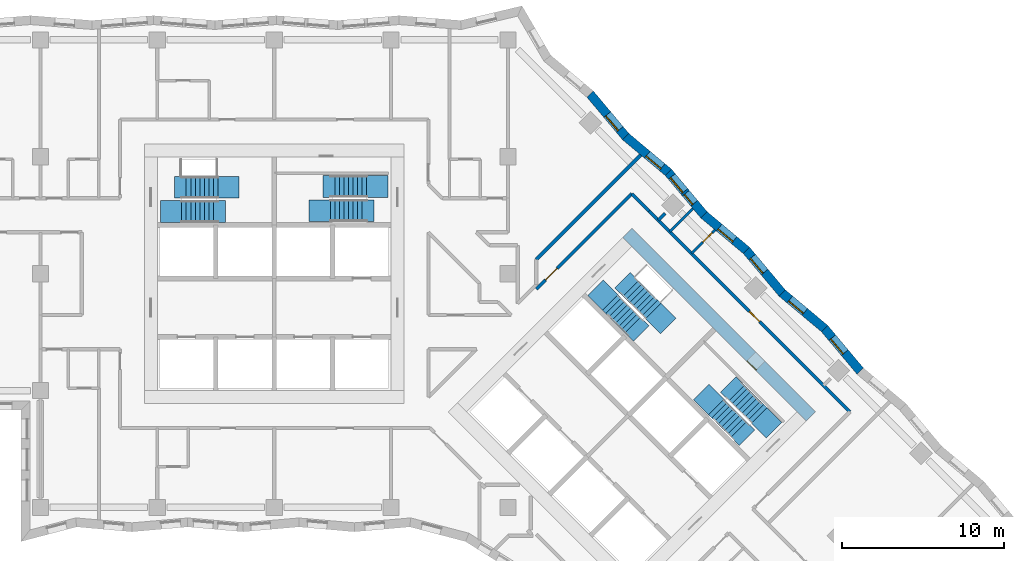
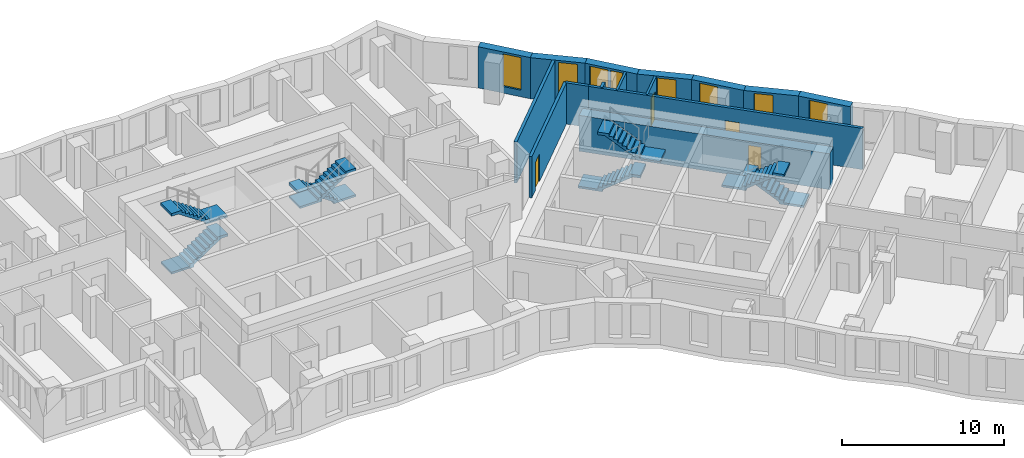
# One storey, part 10 of 12: 15 walls, 8 stair flights, 8 windows, 4 doors, 12 openings, 4 elements without a shape of their own.
"""IFC4 building model written with IfcOpenShell, lengths in metres."""

from ifc_helpers import new_model, si_unit, direction, frame, frame_2d, origin, place, context, subcontext, project, spatial, polyline, rectangle, outline, extrude, material, layer, layer_set, type_object, element, fill, aggregate, save


model = new_model("IFC4")

# Units and contexts
model_context = context("Model", 3, precision=1e-05, world=origin(), true_north=direction((0.0, 1.0)))
body_context = subcontext(model_context, "Body", "Model", "MODEL_VIEW")
ifc_project = project(units=[si_unit("LENGTHUNIT", "METRE"), si_unit("AREAUNIT", "SQUARE_METRE"), si_unit("VOLUMEUNIT", "CUBIC_METRE"), si_unit("PLANEANGLEUNIT", "RADIAN"), si_unit("MASSUNIT", "GRAM", prefix="KILO")], contexts=[model_context])

# Site, building, storey
site_placement = place(None, origin())
site = spatial("IfcSite", under=ifc_project, at=site_placement, CompositionType="ELEMENT")
building_placement = place(site_placement, origin())
building = spatial("IfcBuilding", under=site, at=building_placement, Name="Windrow Commons", CompositionType="ELEMENT")
storey_placement = place(building_placement, frame((0.0, 0.0, 81.2)))
storey = spatial("IfcBuildingStorey", under=building, at=storey_placement, Name="L21", CompositionType="ELEMENT", Elevation=81.2)

# Wall, opening, window
ifc_material_1 = material(Name="Brick masonry, red clay brick", Category="masonry")
ifc_layer_1 = layer(ifc_material_1, 0.55)
ifc_layer_set_1 = layer_set([ifc_layer_1], Name="Brick facade wall 550")
wall_type_1 = type_object("IfcWallType", Name="Brick facade wall 550", PredefinedType="SOLIDWALL", material=ifc_layer_set_1)
wall_1_placement = place(storey_placement, frame((100.9075, 51.5992, 0.0), z_axis=(0.0, 0.0, 1.0), x_axis=(-0.6423285652, 0.7664293929, 0.0)))
wall_1 = element("IfcWall", 1, at=wall_1_placement, inside=storey, type_object=wall_type_1, Name="Brick facade wall L21 12", PredefinedType="SOLIDWALL", context=body_context, shape_type="SweptSolid", body=[
    extrude(outline(polyline([(0.0242, -0.275), (3.4424, -0.275), (3.3939, 0.275), (-0.0242, 0.275), (0.0242, -0.275)])), origin(), (0.0, 0.0, 1.0), 3.1),
])
opening_1_placement = place(wall_1_placement, frame((1.4864, 0.0, 0.5)))
opening_1 = element("IfcOpeningElement", 2, at=opening_1_placement, cuts=wall_1, Name="Opening W7D", PredefinedType="OPENING", context=body_context, shape_type="SweptSolid", body=[
    extrude(rectangle(XDim=1.2, YDim=2.45, at=frame_2d((0.6, 1.225))), frame((0.0, 0.285, 0.0), z_axis=(0.0, -1.0, 0.0), x_axis=(1.0, 0.0, 0.0)), (0.0, 0.0, 1.0), 0.57),
])
ifc_material_2 = material(Name="Clear float glass in anodised aluminium frame", Category="aluminium")
window_type_1 = type_object("IfcWindowType", Name="Window W7 notch 1200x2450", PartitioningType="SINGLE_PANEL", PredefinedType="WINDOW", material=ifc_material_2)
window_1_placement = place(opening_1_placement, origin())
window_1 = element("IfcWindow", 3, at=window_1_placement, inside=storey, type_object=window_type_1, Name="Window L21 12.1", OverallHeight=2.45, OverallWidth=1.2, PartitioningType="SINGLE_PANEL", PredefinedType="WINDOW", context=body_context, shape_type="SweptSolid", body=[
    extrude(rectangle(XDim=1.2, YDim=2.45, at=frame_2d((0.6, 1.225))), frame((0.0, 0.155, 0.0), z_axis=(0.0, -1.0, 0.0), x_axis=(1.0, 0.0, 0.0)), (0.0, 0.0, 1.0), 0.06),
])
fill(opening_1, window_1)

wall_2_placement = place(storey_placement, frame((98.7119, 54.219, 0.0), z_axis=(0.0, 0.0, 1.0), x_axis=(-0.7664437954, 0.6423113798, 0.0)))
wall_2 = element("IfcWall", 4, at=wall_2_placement, inside=storey, type_object=wall_type_1, Name="Brick facade wall L21 13", PredefinedType="SOLIDWALL", context=body_context, shape_type="SweptSolid", body=[
    extrude(outline(polyline([(-0.0242, -0.275), (3.3939, -0.275), (3.4424, 0.275), (0.0242, 0.275), (-0.0242, -0.275)])), origin(), (0.0, 0.0, 1.0), 3.1),
])
opening_2_placement = place(wall_2_placement, frame((1.5964, 0.0, 0.5)))
opening_2 = element("IfcOpeningElement", 5, at=opening_2_placement, cuts=wall_2, Name="Opening W7D", PredefinedType="OPENING", context=body_context, shape_type="SweptSolid", body=[
    extrude(rectangle(XDim=1.2, YDim=2.45, at=frame_2d((0.6, 1.225))), frame((0.0, 0.285, 0.0), z_axis=(0.0, -1.0, 0.0), x_axis=(1.0, 0.0, 0.0)), (0.0, 0.0, 1.0), 0.57),
])
window_2_placement = place(opening_2_placement, origin())
window_2 = element("IfcWindow", 6, at=window_2_placement, inside=storey, type_object=window_type_1, Name="Window L21 13.1", OverallHeight=2.45, OverallWidth=1.2, PartitioningType="SINGLE_PANEL", PredefinedType="WINDOW", context=body_context, shape_type="SweptSolid", body=[
    extrude(rectangle(XDim=1.2, YDim=2.45, at=frame_2d((0.6, 1.225))), frame((0.0, 0.155, 0.0), z_axis=(0.0, -1.0, 0.0), x_axis=(1.0, 0.0, 0.0)), (0.0, 0.0, 1.0), 0.06),
])
fill(opening_2, window_2)

wall_3_placement = place(storey_placement, frame((96.0921, 56.4145, 0.0), z_axis=(0.0, 0.0, 1.0), x_axis=(-0.6423141631, 0.7664414628, 0.0)))
wall_3 = element("IfcWall", 7, at=wall_3_placement, inside=storey, type_object=wall_type_1, Name="Brick facade wall L21 14", PredefinedType="SOLIDWALL", context=body_context, shape_type="SweptSolid", body=[
    extrude(outline(polyline([(0.0242, -0.275), (3.4424, -0.275), (3.3939, 0.275), (-0.0242, 0.275), (0.0242, -0.275)])), origin(), (0.0, 0.0, 1.0), 3.1),
])
opening_3_placement = place(wall_3_placement, frame((1.6822, 0.0, 0.5)))
opening_3 = element("IfcOpeningElement", 8, at=opening_3_placement, cuts=wall_3, Name="Opening W7D", PredefinedType="OPENING", context=body_context, shape_type="SweptSolid", body=[
    extrude(rectangle(XDim=1.2, YDim=2.45, at=frame_2d((0.6, 1.225))), frame((0.0, 0.285, 0.0), z_axis=(0.0, -1.0, 0.0), x_axis=(1.0, 0.0, 0.0)), (0.0, 0.0, 1.0), 0.57),
])
window_3_placement = place(opening_3_placement, origin())
window_3 = element("IfcWindow", 9, at=window_3_placement, inside=storey, type_object=window_type_1, Name="Window L21 14.1", OverallHeight=2.45, OverallWidth=1.2, PartitioningType="SINGLE_PANEL", PredefinedType="WINDOW", context=body_context, shape_type="SweptSolid", body=[
    extrude(rectangle(XDim=1.2, YDim=2.45, at=frame_2d((0.6, 1.225))), frame((0.0, 0.155, 0.0), z_axis=(0.0, -1.0, 0.0), x_axis=(1.0, 0.0, 0.0)), (0.0, 0.0, 1.0), 0.06),
])
fill(opening_3, window_3)

wall_4_placement = place(storey_placement, frame((93.8965, 59.0344, 0.0), z_axis=(0.0, 0.0, 1.0), x_axis=(-0.7664437954, 0.6423113798, 0.0)))
wall_4 = element("IfcWall", 10, at=wall_4_placement, inside=storey, type_object=wall_type_1, Name="Brick facade wall L21 15", PredefinedType="SOLIDWALL", context=body_context, shape_type="SweptSolid", body=[
    extrude(outline(polyline([(-0.0242, -0.275), (3.3939, -0.275), (3.4424, 0.275), (0.0242, 0.275), (-0.0242, -0.275)])), origin(), (0.0, 0.0, 1.0), 3.1),
])
opening_4_placement = place(wall_4_placement, frame((0.9922, 0.0, 0.5)))
opening_4 = element("IfcOpeningElement", 11, at=opening_4_placement, cuts=wall_4, Name="Opening W7D", PredefinedType="OPENING", context=body_context, shape_type="SweptSolid", body=[
    extrude(rectangle(XDim=1.2, YDim=2.45, at=frame_2d((0.6, 1.225))), frame((0.0, 0.285, 0.0), z_axis=(0.0, -1.0, 0.0), x_axis=(1.0, 0.0, 0.0)), (0.0, 0.0, 1.0), 0.57),
])
window_4_placement = place(opening_4_placement, origin())
window_4 = element("IfcWindow", 12, at=window_4_placement, inside=storey, type_object=window_type_1, Name="Window L21 15.1", OverallHeight=2.45, OverallWidth=1.2, PartitioningType="SINGLE_PANEL", PredefinedType="WINDOW", context=body_context, shape_type="SweptSolid", body=[
    extrude(rectangle(XDim=1.2, YDim=2.45, at=frame_2d((0.6, 1.225))), frame((0.0, 0.155, 0.0), z_axis=(0.0, -1.0, 0.0), x_axis=(1.0, 0.0, 0.0)), (0.0, 0.0, 1.0), 0.06),
])
fill(opening_4, window_4)

# Wall, openings, windows
wall_5_placement = place(storey_placement, frame((91.2767, 61.2299, 0.0), z_axis=(0.0, 0.0, 1.0), x_axis=(-0.6422969775, 0.7664558648, 0.0)))
wall_5 = element("IfcWall", 13, at=wall_5_placement, inside=storey, type_object=wall_type_1, Name="Brick facade wall L21 16", PredefinedType="SOLIDWALL", context=body_context, shape_type="SweptSolid", body=[
    extrude(outline(polyline([(0.0242, -0.275), (3.4424, -0.275), (3.3939, 0.275), (-0.0242, 0.275), (0.0242, -0.275)])), origin(), (0.0, 0.0, 1.0), 3.1),
])
opening_5_placement = place(wall_5_placement, frame((1.8779, 0.0, 0.5)))
opening_5 = element("IfcOpeningElement", 14, at=opening_5_placement, cuts=wall_5, Name="Opening W7D", PredefinedType="OPENING", context=body_context, shape_type="SweptSolid", body=[
    extrude(rectangle(XDim=1.2, YDim=2.45, at=frame_2d((0.6, 1.225))), frame((0.0, 0.285, 0.0), z_axis=(0.0, -1.0, 0.0), x_axis=(1.0, 0.0, 0.0)), (0.0, 0.0, 1.0), 0.57),
])
opening_6_placement = place(wall_5_placement, frame((0.9309, 0.0, 0.45)))
opening_6 = element("IfcOpeningElement", 15, at=opening_6_placement, cuts=wall_5, Name="Opening W1N", PredefinedType="OPENING", context=body_context, shape_type="SweptSolid", body=[
    extrude(rectangle(XDim=0.8, YDim=2.5, at=frame_2d((0.4, 1.25))), frame((0.0, 0.285, 0.0), z_axis=(0.0, -1.0, 0.0), x_axis=(1.0, 0.0, 0.0)), (0.0, 0.0, 1.0), 0.57),
])
ifc_material_3 = material(Name="Clear float glass in anodised aluminium frame", Category="aluminium")
window_type_2 = type_object("IfcWindowType", Name="Window W1N slit 800x2500", PartitioningType="SINGLE_PANEL", PredefinedType="WINDOW", material=ifc_material_3)
window_5_placement = place(opening_6_placement, origin())
window_5 = element("IfcWindow", 16, at=window_5_placement, inside=storey, type_object=window_type_2, Name="Window L21 16.1A", OverallHeight=2.5, OverallWidth=0.8, PartitioningType="SINGLE_PANEL", PredefinedType="WINDOW", context=body_context, shape_type="SweptSolid", body=[
    extrude(rectangle(XDim=0.8, YDim=2.5, at=frame_2d((0.4, 1.25))), frame((0.0, 0.155, 0.0), z_axis=(0.0, -1.0, 0.0), x_axis=(1.0, 0.0, 0.0)), (0.0, 0.0, 1.0), 0.06),
])
fill(opening_6, window_5)
window_6_placement = place(opening_5_placement, origin())
window_6 = element("IfcWindow", 17, at=window_6_placement, inside=storey, type_object=window_type_1, Name="Window L21 16.2", OverallHeight=2.45, OverallWidth=1.2, PartitioningType="SINGLE_PANEL", PredefinedType="WINDOW", context=body_context, shape_type="SweptSolid", body=[
    extrude(rectangle(XDim=1.2, YDim=2.45, at=frame_2d((0.6, 1.225))), frame((0.0, 0.155, 0.0), z_axis=(0.0, -1.0, 0.0), x_axis=(1.0, 0.0, 0.0)), (0.0, 0.0, 1.0), 0.06),
])
fill(opening_5, window_6)

# Wall, opening, window
wall_6_placement = place(storey_placement, frame((89.0812, 63.8498, 0.0), z_axis=(0.0, 0.0, 1.0), x_axis=(-0.7664558648, 0.6422969775, 0.0)))
wall_6 = element("IfcWall", 18, at=wall_6_placement, inside=storey, type_object=wall_type_1, Name="Brick facade wall L21 17", PredefinedType="SOLIDWALL", context=body_context, shape_type="SweptSolid", body=[
    extrude(outline(polyline([(-0.0242, -0.275), (3.3939, -0.275), (3.4424, 0.275), (0.0242, 0.275), (-0.0242, -0.275)])), origin(), (0.0, 0.0, 1.0), 3.1),
])
opening_7_placement = place(wall_6_placement, frame((0.491, 0.0, 0.5)))
opening_7 = element("IfcOpeningElement", 19, at=opening_7_placement, cuts=wall_6, Name="Opening W7D", PredefinedType="OPENING", context=body_context, shape_type="SweptSolid", body=[
    extrude(rectangle(XDim=1.2, YDim=2.45, at=frame_2d((0.6, 1.225))), frame((0.0, 0.285, 0.0), z_axis=(0.0, -1.0, 0.0), x_axis=(1.0, 0.0, 0.0)), (0.0, 0.0, 1.0), 0.57),
])
window_7_placement = place(opening_7_placement, origin())
window_7 = element("IfcWindow", 20, at=window_7_placement, inside=storey, type_object=window_type_1, Name="Window L21 17.1", OverallHeight=2.45, OverallWidth=1.2, PartitioningType="SINGLE_PANEL", PredefinedType="WINDOW", context=body_context, shape_type="SweptSolid", body=[
    extrude(rectangle(XDim=1.2, YDim=2.45, at=frame_2d((0.6, 1.225))), frame((0.0, 0.155, 0.0), z_axis=(0.0, -1.0, 0.0), x_axis=(1.0, 0.0, 0.0)), (0.0, 0.0, 1.0), 0.06),
])
fill(opening_7, window_7)

wall_7_placement = place(storey_placement, frame((86.4613, 66.0453, 0.0), z_axis=(0.0, 0.0, 1.0), x_axis=(-0.6423113798, 0.7664437954, 0.0)))
wall_7 = element("IfcWall", 21, at=wall_7_placement, inside=storey, type_object=wall_type_1, Name="Brick facade wall L21 18", PredefinedType="SOLIDWALL", context=body_context, shape_type="SweptSolid", body=[
    extrude(outline(polyline([(0.0242, -0.275), (3.4424, -0.275), (3.3939, 0.275), (-0.0242, 0.275), (0.0242, -0.275)])), origin(), (0.0, 0.0, 1.0), 3.1),
])
opening_8_placement = place(wall_7_placement, frame((0.5767, 0.0, 0.5)))
opening_8 = element("IfcOpeningElement", 22, at=opening_8_placement, cuts=wall_7, Name="Opening W7D", PredefinedType="OPENING", context=body_context, shape_type="SweptSolid", body=[
    extrude(rectangle(XDim=1.2, YDim=2.45, at=frame_2d((0.6, 1.225))), frame((0.0, 0.285, 0.0), z_axis=(0.0, -1.0, 0.0), x_axis=(1.0, 0.0, 0.0)), (0.0, 0.0, 1.0), 0.57),
])
window_8_placement = place(opening_8_placement, origin())
window_8 = element("IfcWindow", 23, at=window_8_placement, inside=storey, type_object=window_type_1, Name="Window L21 18.1", OverallHeight=2.45, OverallWidth=1.2, PartitioningType="SINGLE_PANEL", PredefinedType="WINDOW", context=body_context, shape_type="SweptSolid", body=[
    extrude(rectangle(XDim=1.2, YDim=2.45, at=frame_2d((0.6, 1.225))), frame((0.0, 0.155, 0.0), z_axis=(0.0, -1.0, 0.0), x_axis=(1.0, 0.0, 0.0)), (0.0, 0.0, 1.0), 0.06),
])
fill(opening_8, window_8)

# Wall, opening, door
ifc_material_4 = material(Name="Blockwork partition", Category="masonry")
ifc_layer_2 = layer(ifc_material_4, 0.2)
ifc_layer_set_2 = layer_set([ifc_layer_2], Name="IW-CORRIDOR-200")
wall_type_2 = type_object("IfcWallType", Name="IW-CORRIDOR-200", PredefinedType="PARTITIONING", material=ifc_layer_set_2)
wall_8_placement = place(storey_placement, frame((87.8945, 61.4605, 0.0), z_axis=(0.0, 0.0, 1.0), x_axis=(0.7071067812, -0.7071067812, 0.0)))
wall_8 = element("IfcWall", 24, at=wall_8_placement, inside=storey, type_object=wall_type_2, Name="W-L21-W004", PredefinedType="PARTITIONING", context=body_context, shape_type="SweptSolid", body=[
    extrude(rectangle(XDim=17.4995, YDim=0.2, at=frame_2d((8.7498, 0.0))), origin(), (0.0, 0.0, 1.0), 3.1),
])
opening_9_placement = place(wall_8_placement, frame((8.7345, 0.0, 0.0)))
opening_9 = element("IfcOpeningElement", 25, at=opening_9_placement, cuts=wall_8, Name="Opening D109F", PredefinedType="OPENING", context=body_context, shape_type="SweptSolid", body=[
    extrude(rectangle(XDim=0.9, YDim=2.1, at=frame_2d((0.45, 1.05))), frame((0.0, 0.11, 0.0), z_axis=(0.0, -1.0, 0.0), x_axis=(1.0, 0.0, 0.0)), (0.0, 0.0, 1.0), 0.22),
])
ifc_material_5 = material(Name="Timber door leaf", Category="wood")
door_type_1 = type_object("IfcDoorType", Name="DT-BEDROOM-900", OperationType="SINGLE_SWING_LEFT", PredefinedType="DOOR", material=ifc_material_5)
door_1_placement = place(opening_9_placement, origin())
door_1 = element("IfcDoor", 26, at=door_1_placement, inside=storey, type_object=door_type_1, Name="D-L21-D039", OperationType="SINGLE_SWING_LEFT", OverallHeight=2.1, OverallWidth=0.9, PredefinedType="DOOR", context=body_context, shape_type="SweptSolid", body=[
    extrude(rectangle(XDim=0.9, YDim=2.1, at=frame_2d((0.45, 1.05))), frame((0.0, 0.025, 0.0), z_axis=(0.0, -1.0, 0.0), x_axis=(1.0, 0.0, 0.0)), (0.0, 0.0, 1.0), 0.05),
])
fill(opening_9, door_1)

wall_9_placement = place(storey_placement, frame((80.9512, 56.6408, 0.0), z_axis=(0.0, 0.0, 1.0), x_axis=(0.7071067812, 0.7071067812, 0.0)))
wall_9 = element("IfcWall", 27, at=wall_9_placement, inside=storey, type_object=wall_type_2, Name="W-L21-W011", PredefinedType="PARTITIONING", context=body_context, shape_type="SweptSolid", body=[
    extrude(rectangle(XDim=8.3212, YDim=0.2, at=frame_2d((4.1606, 0.0))), origin(), (0.0, 0.0, 1.0), 3.1),
])
opening_10_placement = place(wall_9_placement, frame((0.8162, 0.0, 0.0)))
opening_10 = element("IfcOpeningElement", 28, at=opening_10_placement, cuts=wall_9, Name="Opening D310F", PredefinedType="OPENING", context=body_context, shape_type="SweptSolid", body=[
    extrude(rectangle(XDim=1.0, YDim=2.1, at=frame_2d((0.5, 1.05))), frame((0.0, 0.11, 0.0), z_axis=(0.0, -1.0, 0.0), x_axis=(1.0, 0.0, 0.0)), (0.0, 0.0, 1.0), 0.22),
])
ifc_material_6 = material(Name="Timber door leaf", Category="wood")
door_type_2 = type_object("IfcDoorType", Name="DT-AMENITY-1000", OperationType="SINGLE_SWING_LEFT", PredefinedType="DOOR", material=ifc_material_6)
door_2_placement = place(opening_10_placement, origin())
door_2 = element("IfcDoor", 29, at=door_2_placement, inside=storey, type_object=door_type_2, Name="D-L21-D038", OperationType="SINGLE_SWING_RIGHT", OverallHeight=2.1, OverallWidth=1.0, PredefinedType="DOOR", context=body_context, shape_type="SweptSolid", body=[
    extrude(rectangle(XDim=1.0, YDim=2.1, at=frame_2d((0.5, 1.05))), frame((0.0, 0.025, 0.0), z_axis=(0.0, -1.0, 0.0), x_axis=(1.0, 0.0, 0.0)), (0.0, 0.0, 1.0), 0.05),
])
fill(opening_10, door_2)

# Wall
wall_10_placement = place(storey_placement, frame((86.838, 62.526, 0.0), z_axis=(0.0, 0.0, 1.0), x_axis=(0.70777292, -0.7064400143, 0.0)))
element("IfcWall", 30, at=wall_10_placement, inside=storey, type_object=wall_type_2, Name="W-L21-W146", PredefinedType="PARTITIONING", context=body_context, shape_type="SweptSolid", body=[
    extrude(rectangle(XDim=1.5005, YDim=0.2, at=frame_2d((0.7502, 0.0))), origin(), (0.0, 0.0, 1.0), 3.1),
])

# Wall, opening, door
ifc_material_7 = material(Name="Blockwork partition", Category="masonry")
ifc_layer_3 = layer(ifc_material_7, 0.15)
ifc_layer_set_3 = layer_set([ifc_layer_3], Name="IW-ENSUITE-150")
wall_type_3 = type_object("IfcWallType", Name="IW-ENSUITE-150", PredefinedType="PARTITIONING", material=ifc_layer_set_3)
wall_11_placement = place(storey_placement, frame((90.5131, 58.8489, 0.0), z_axis=(0.0, 0.0, 1.0), x_axis=(0.7071311915, 0.70708237, 0.0)))
wall_11 = element("IfcWall", 31, at=wall_11_placement, inside=storey, type_object=wall_type_3, Name="W-L21-W120", PredefinedType="PARTITIONING", context=body_context, shape_type="SweptSolid", body=[
    extrude(rectangle(XDim=2.0483, YDim=0.15, at=frame_2d((1.0241, 0.0))), origin(), (0.0, 0.0, 1.0), 3.1),
])
opening_11_placement = place(wall_11_placement, frame((0.9956, 0.0, 0.0)))
opening_11 = element("IfcOpeningElement", 32, at=opening_11_placement, cuts=wall_11, Name="Opening D208N", PredefinedType="OPENING", context=body_context, shape_type="SweptSolid", body=[
    extrude(rectangle(XDim=0.8, YDim=2.1, at=frame_2d((0.4, 1.05))), frame((0.0, 0.085, 0.0), z_axis=(0.0, -1.0, 0.0), x_axis=(1.0, 0.0, 0.0)), (0.0, 0.0, 1.0), 0.17),
])
ifc_material_8 = material(Name="Timber door leaf", Category="wood")
door_type_3 = type_object("IfcDoorType", Name="DT-ENSUITE-800", OperationType="SINGLE_SWING_LEFT", PredefinedType="DOOR", material=ifc_material_8)
door_3_placement = place(opening_11_placement, origin())
door_3 = element("IfcDoor", 33, at=door_3_placement, inside=storey, type_object=door_type_3, Name="D-L21-D040", OperationType="SINGLE_SWING_RIGHT", OverallHeight=2.1, OverallWidth=0.8, PredefinedType="DOOR", context=body_context, shape_type="SweptSolid", body=[
    extrude(rectangle(XDim=0.8, YDim=2.1, at=frame_2d((0.4, 1.05))), frame((0.0, 0.025, 0.0), z_axis=(0.0, -1.0, 0.0), x_axis=(1.0, 0.0, 0.0)), (0.0, 0.0, 1.0), 0.05),
])
fill(opening_11, door_3)

# Walls
wall_12_placement = place(storey_placement, frame((89.1695, 60.1925, 0.0), z_axis=(0.0, 0.0, 1.0), x_axis=(0.7076279259, 0.7065852521, 0.0)))
element("IfcWall", 34, at=wall_12_placement, inside=storey, type_object=wall_type_3, Name="W-L21-W121", PredefinedType="PARTITIONING", context=body_context, shape_type="SweptSolid", body=[
    extrude(rectangle(XDim=2.0141, YDim=0.15, at=frame_2d((1.0071, 0.0))), origin(), (0.0, 0.0, 1.0), 3.1),
])
ifc_material_9 = material(Name="Blockwork partition", Category="masonry")
ifc_layer_4 = layer(ifc_material_9, 0.2)
ifc_layer_set_4 = layer_set([ifc_layer_4], Name="IW-PARTY-200")
wall_type_4 = type_object("IfcWallType", Name="IW-PARTY-200", PredefinedType="PARTITIONING", material=ifc_layer_set_4)
wall_13_placement = place(storey_placement, frame((80.9489, 58.4771, 0.0), z_axis=(0.0, 0.0, 1.0), x_axis=(0.7071067812, 0.7071067812, 0.0)))
element("IfcWall", 35, at=wall_13_placement, inside=storey, type_object=wall_type_4, Name="W-L21-W007", PredefinedType="PARTITIONING", context=body_context, shape_type="SweptSolid", body=[
    extrude(rectangle(XDim=9.1015, YDim=0.2, at=frame_2d((4.5507, 0.0))), origin(), (0.0, 0.0, 1.0), 3.1),
])
wall_14_placement = place(storey_placement, frame((88.4611, 60.9009, 0.0), z_axis=(0.0, 0.0, 1.0), x_axis=(0.7054171665, 0.7087923682, 0.0)))
element("IfcWall", 36, at=wall_14_placement, inside=storey, type_object=wall_type_4, Name="W-L21-W159", PredefinedType="PARTITIONING", context=body_context, shape_type="SweptSolid", body=[
    extrude(rectangle(XDim=0.5926, YDim=0.2, at=frame_2d((0.2963, 0.0))), origin(), (0.0, 0.0, 1.0), 3.1),
])

# Wall, opening, door
ifc_material_10 = material(Name="Concrete C50/60", Category="concrete")
ifc_layer_5 = layer(ifc_material_10, 0.8)
ifc_layer_set_5 = layer_set([ifc_layer_5], Name="RC CORE WALL 800 C50/60")
wall_type_5 = type_object("IfcWallType", Name="RC CORE WALL 800 C50/60", PredefinedType="SHEAR", material=ifc_layer_set_5)
wall_15_placement = place(storey_placement, frame((86.5539, 60.1206, -0.3), z_axis=(0.0, 0.0, 1.0), x_axis=(0.7071067812, -0.7071067812, 0.0)))
wall_15 = element("IfcWall", 37, at=wall_15_placement, inside=storey, type_object=wall_type_5, Name="Core B wall outer-N", PredefinedType="SHEAR", context=body_context, shape_type="SweptSolid", body=[
    extrude(rectangle(XDim=16.0, YDim=0.8, at=frame_2d((8.0, 0.0))), origin(), (0.0, 0.0, 1.0), 2.7),
])
opening_12_placement = place(wall_15_placement, frame((10.8, 0.0, 0.3)))
opening_12 = element("IfcOpeningElement", 38, at=opening_12_placement, cuts=wall_15, Name="Opening D9", PredefinedType="OPENING", context=body_context, shape_type="SweptSolid", body=[
    extrude(rectangle(XDim=0.8, YDim=2.1, at=frame_2d((0.4, 1.05))), frame((0.0, 0.41, 0.0), z_axis=(0.0, -1.0, 0.0), x_axis=(1.0, 0.0, 0.0)), (0.0, 0.0, 1.0), 0.82),
])
ifc_material_11 = material(Name="Steel fire door leaf", Category="steel")
door_type_4 = type_object("IfcDoorType", Name="Riser access door 800", OperationType="SINGLE_SWING_LEFT", PredefinedType="DOOR", material=ifc_material_11)
door_4_placement = place(opening_12_placement, origin())
door_4 = element("IfcDoor", 39, at=door_4_placement, inside=storey, type_object=door_type_4, Name="Riser access door", OperationType="SINGLE_SWING_RIGHT", OverallHeight=2.1, OverallWidth=0.8, PredefinedType="DOOR", context=body_context, shape_type="SweptSolid", body=[
    extrude(rectangle(XDim=0.8, YDim=2.1, at=frame_2d((0.4, 1.05))), frame((0.0, -0.34, 0.0), z_axis=(0.0, -1.0, 0.0), x_axis=(1.0, 0.0, 0.0)), (0.0, 0.0, 1.0), 0.05),
])
fill(opening_12, door_4)

# Stair, stair flights
ifc_material_12 = material(Name="Concrete C40/50", Category="concrete")
stair_type = type_object("IfcStairType", Name="Core stair", PredefinedType="HALF_TURN_STAIR", material=ifc_material_12)
placement = place(storey_placement, origin())
stair_1 = element("IfcStair", 40, at=placement, inside=storey, type_object=stair_type, Name="L21 Exit stair A1 core A", PredefinedType="HALF_TURN_STAIR")
ifc_material_13 = material(Name="Concrete C40/50", Category="concrete")
stair_flight_type = type_object("IfcStairFlightType", Name="Core stair flight", PredefinedType="STRAIGHT", material=ifc_material_13)
stair_flight_1_placement = place(storey_placement, frame((59.1, 61.425, 0.0), z_axis=(0.0, 0.0, 1.0), x_axis=(1.0, 0.0, 0.0)))
stair_flight_1 = element("IfcStairFlight", 41, at=stair_flight_1_placement, type_object=stair_flight_type, Name="ST-A1 flight 1", NumberOfRisers=9, NumberOfTreads=8, PredefinedType="STRAIGHT", RiserHeight=0.188888889, TreadLength=0.28, context=body_context, shape_type="SweptSolid", body=[
    extrude(outline(polyline([(-1.3, -0.15), (-1.3, 0.0), (0.0, 0.0), (0.0, 0.1889), (0.28, 0.1889), (0.28, 0.3778), (0.56, 0.3778), (0.56, 0.5667), (0.84, 0.5667), (0.84, 0.7556), (1.12, 0.7556), (1.12, 0.9444), (1.4, 0.9444), (1.4, 1.1333), (1.68, 1.1333), (1.68, 1.3222), (1.96, 1.3222), (1.96, 1.5111), (2.24, 1.5111), (2.69, 1.5111), (2.69, 1.3111), (2.24, 1.3111), (2.24, 1.3302), (0.2682, 0.0), (0.2682, -0.15), (-1.3, -0.15)])), frame((0.0, 0.675, 0.0), z_axis=(0.0, -1.0, 0.0), x_axis=(1.0, 0.0, 0.0)), (0.0, 0.0, 1.0), 1.35),
])
stair_flight_2_placement = place(storey_placement, frame((61.34, 62.925, 1.7), z_axis=(0.0, 0.0, 1.0), x_axis=(-1.0, 0.0, 0.0)))
stair_flight_2 = element("IfcStairFlight", 42, at=stair_flight_2_placement, type_object=stair_flight_type, Name="ST-A1 flight 2", NumberOfRisers=9, NumberOfTreads=8, PredefinedType="STRAIGHT", RiserHeight=0.188888889, TreadLength=0.28, context=body_context, shape_type="SweptSolid", body=[
    extrude(outline(polyline([(-1.3, -0.15), (-1.3, 0.0), (0.0, 0.0), (0.0, 0.1889), (0.28, 0.1889), (0.28, 0.3778), (0.56, 0.3778), (0.56, 0.5667), (0.84, 0.5667), (0.84, 0.7556), (1.12, 0.7556), (1.12, 0.9444), (1.4, 0.9444), (1.4, 1.1333), (1.68, 1.1333), (1.68, 1.3222), (1.96, 1.3222), (1.96, 1.5111), (2.24, 1.5111), (2.69, 1.5111), (2.69, 1.3111), (2.24, 1.3111), (2.24, 1.3302), (0.2682, 0.0), (0.2682, -0.15), (-1.3, -0.15)])), frame((0.0, 0.675, 0.0), z_axis=(0.0, -1.0, 0.0), x_axis=(1.0, 0.0, 0.0)), (0.0, 0.0, 1.0), 1.35),
])
aggregate(stair_1, [stair_flight_1, stair_flight_2])

stair_2 = element("IfcStair", 43, at=placement, inside=storey, type_object=stair_type, Name="L21 Exit stair A2 core A", PredefinedType="HALF_TURN_STAIR")
stair_flight_3_placement = place(storey_placement, frame((70.5, 62.98, 0.0), z_axis=(0.0, 0.0, 1.0), x_axis=(-1.0, 0.0, 0.0)))
stair_flight_3 = element("IfcStairFlight", 44, at=stair_flight_3_placement, type_object=stair_flight_type, Name="ST-A2 flight 1", NumberOfRisers=9, NumberOfTreads=8, PredefinedType="STRAIGHT", RiserHeight=0.188888889, TreadLength=0.28, context=body_context, shape_type="SweptSolid", body=[
    extrude(outline(polyline([(-1.3, -0.15), (-1.3, 0.0), (0.0, 0.0), (0.0, 0.1889), (0.28, 0.1889), (0.28, 0.3778), (0.56, 0.3778), (0.56, 0.5667), (0.84, 0.5667), (0.84, 0.7556), (1.12, 0.7556), (1.12, 0.9444), (1.4, 0.9444), (1.4, 1.1333), (1.68, 1.1333), (1.68, 1.3222), (1.96, 1.3222), (1.96, 1.5111), (2.24, 1.5111), (2.69, 1.5111), (2.69, 1.3111), (2.24, 1.3111), (2.24, 1.3302), (0.2682, 0.0), (0.2682, -0.15), (-1.3, -0.15)])), frame((0.0, 0.675, 0.0), z_axis=(0.0, -1.0, 0.0), x_axis=(1.0, 0.0, 0.0)), (0.0, 0.0, 1.0), 1.35),
])
stair_flight_4_placement = place(storey_placement, frame((68.26, 61.48, 1.7), z_axis=(0.0, 0.0, 1.0), x_axis=(1.0, 0.0, 0.0)))
stair_flight_4 = element("IfcStairFlight", 45, at=stair_flight_4_placement, type_object=stair_flight_type, Name="ST-A2 flight 2", NumberOfRisers=9, NumberOfTreads=8, PredefinedType="STRAIGHT", RiserHeight=0.188888889, TreadLength=0.28, context=body_context, shape_type="SweptSolid", body=[
    extrude(outline(polyline([(-1.3, -0.15), (-1.3, 0.0), (0.0, 0.0), (0.0, 0.1889), (0.28, 0.1889), (0.28, 0.3778), (0.56, 0.3778), (0.56, 0.5667), (0.84, 0.5667), (0.84, 0.7556), (1.12, 0.7556), (1.12, 0.9444), (1.4, 0.9444), (1.4, 1.1333), (1.68, 1.1333), (1.68, 1.3222), (1.96, 1.3222), (1.96, 1.5111), (2.24, 1.5111), (2.69, 1.5111), (2.69, 1.3111), (2.24, 1.3111), (2.24, 1.3302), (0.2682, 0.0), (0.2682, -0.15), (-1.3, -0.15)])), frame((0.0, 0.675, 0.0), z_axis=(0.0, -1.0, 0.0), x_axis=(1.0, 0.0, 0.0)), (0.0, 0.0, 1.0), 1.35),
])
aggregate(stair_2, [stair_flight_3, stair_flight_4])

stair_3 = element("IfcStair", 46, at=placement, inside=storey, type_object=stair_type, Name="L21 Exit stair B1 core B", PredefinedType="HALF_TURN_STAIR")
stair_flight_5_placement = place(storey_placement, frame((85.5109, 55.8249, 0.0), z_axis=(0.0, 0.0, 1.0), x_axis=(0.7071067812, -0.7071067812, 0.0)))
stair_flight_5 = element("IfcStairFlight", 47, at=stair_flight_5_placement, type_object=stair_flight_type, Name="ST-B1 flight 1", NumberOfRisers=9, NumberOfTreads=8, PredefinedType="STRAIGHT", RiserHeight=0.188888889, TreadLength=0.28, context=body_context, shape_type="SweptSolid", body=[
    extrude(outline(polyline([(-1.3, -0.15), (-1.3, 0.0), (0.0, 0.0), (0.0, 0.1889), (0.28, 0.1889), (0.28, 0.3778), (0.56, 0.3778), (0.56, 0.5667), (0.84, 0.5667), (0.84, 0.7556), (1.12, 0.7556), (1.12, 0.9444), (1.4, 0.9444), (1.4, 1.1333), (1.68, 1.1333), (1.68, 1.3222), (1.96, 1.3222), (1.96, 1.5111), (2.24, 1.5111), (2.69, 1.5111), (2.69, 1.3111), (2.24, 1.3111), (2.24, 1.3302), (0.2682, 0.0), (0.2682, -0.15), (-1.3, -0.15)])), frame((0.0, 0.675, 0.0), z_axis=(0.0, -1.0, 0.0), x_axis=(1.0, 0.0, 0.0)), (0.0, 0.0, 1.0), 1.35),
])
stair_flight_6_placement = place(storey_placement, frame((88.1555, 55.3017, 1.7), z_axis=(0.0, 0.0, 1.0), x_axis=(-0.7071067812, 0.7071067812, 0.0)))
stair_flight_6 = element("IfcStairFlight", 48, at=stair_flight_6_placement, type_object=stair_flight_type, Name="ST-B1 flight 2", NumberOfRisers=9, NumberOfTreads=8, PredefinedType="STRAIGHT", RiserHeight=0.188888889, TreadLength=0.28, context=body_context, shape_type="SweptSolid", body=[
    extrude(outline(polyline([(-1.3, -0.15), (-1.3, 0.0), (0.0, 0.0), (0.0, 0.1889), (0.28, 0.1889), (0.28, 0.3778), (0.56, 0.3778), (0.56, 0.5667), (0.84, 0.5667), (0.84, 0.7556), (1.12, 0.7556), (1.12, 0.9444), (1.4, 0.9444), (1.4, 1.1333), (1.68, 1.1333), (1.68, 1.3222), (1.96, 1.3222), (1.96, 1.5111), (2.24, 1.5111), (2.69, 1.5111), (2.69, 1.3111), (2.24, 1.3111), (2.24, 1.3302), (0.2682, 0.0), (0.2682, -0.15), (-1.3, -0.15)])), frame((0.0, 0.675, 0.0), z_axis=(0.0, -1.0, 0.0), x_axis=(1.0, 0.0, 0.0)), (0.0, 0.0, 1.0), 1.35),
])
aggregate(stair_3, [stair_flight_5, stair_flight_6])

stair_4 = element("IfcStair", 49, at=placement, inside=storey, type_object=stair_type, Name="L21 Exit stair B2 core B", PredefinedType="HALF_TURN_STAIR")
stair_flight_7_placement = place(storey_placement, frame((94.6715, 48.8635, 0.0), z_axis=(0.0, 0.0, 1.0), x_axis=(-0.7071067812, 0.7071067812, 0.0)))
stair_flight_7 = element("IfcStairFlight", 50, at=stair_flight_7_placement, type_object=stair_flight_type, Name="ST-B2 flight 1", NumberOfRisers=9, NumberOfTreads=8, PredefinedType="STRAIGHT", RiserHeight=0.188888889, TreadLength=0.28, context=body_context, shape_type="SweptSolid", body=[
    extrude(outline(polyline([(-1.3, -0.15), (-1.3, 0.0), (0.0, 0.0), (0.0, 0.1889), (0.28, 0.1889), (0.28, 0.3778), (0.56, 0.3778), (0.56, 0.5667), (0.84, 0.5667), (0.84, 0.7556), (1.12, 0.7556), (1.12, 0.9444), (1.4, 0.9444), (1.4, 1.1333), (1.68, 1.1333), (1.68, 1.3222), (1.96, 1.3222), (1.96, 1.5111), (2.24, 1.5111), (2.69, 1.5111), (2.69, 1.3111), (2.24, 1.3111), (2.24, 1.3302), (0.2682, 0.0), (0.2682, -0.15), (-1.3, -0.15)])), frame((0.0, 0.675, 0.0), z_axis=(0.0, -1.0, 0.0), x_axis=(1.0, 0.0, 0.0)), (0.0, 0.0, 1.0), 1.35),
])
stair_flight_8_placement = place(storey_placement, frame((92.0269, 49.3867, 1.7), z_axis=(0.0, 0.0, 1.0), x_axis=(0.7071067812, -0.7071067812, 0.0)))
stair_flight_8 = element("IfcStairFlight", 51, at=stair_flight_8_placement, type_object=stair_flight_type, Name="ST-B2 flight 2", NumberOfRisers=9, NumberOfTreads=8, PredefinedType="STRAIGHT", RiserHeight=0.188888889, TreadLength=0.28, context=body_context, shape_type="SweptSolid", body=[
    extrude(outline(polyline([(-1.3, -0.15), (-1.3, 0.0), (0.0, 0.0), (0.0, 0.1889), (0.28, 0.1889), (0.28, 0.3778), (0.56, 0.3778), (0.56, 0.5667), (0.84, 0.5667), (0.84, 0.7556), (1.12, 0.7556), (1.12, 0.9444), (1.4, 0.9444), (1.4, 1.1333), (1.68, 1.1333), (1.68, 1.3222), (1.96, 1.3222), (1.96, 1.5111), (2.24, 1.5111), (2.69, 1.5111), (2.69, 1.3111), (2.24, 1.3111), (2.24, 1.3302), (0.2682, 0.0), (0.2682, -0.15), (-1.3, -0.15)])), frame((0.0, 0.675, 0.0), z_axis=(0.0, -1.0, 0.0), x_axis=(1.0, 0.0, 0.0)), (0.0, 0.0, 1.0), 1.35),
])
aggregate(stair_4, [stair_flight_7, stair_flight_8])

save(model, "model.ifc")
